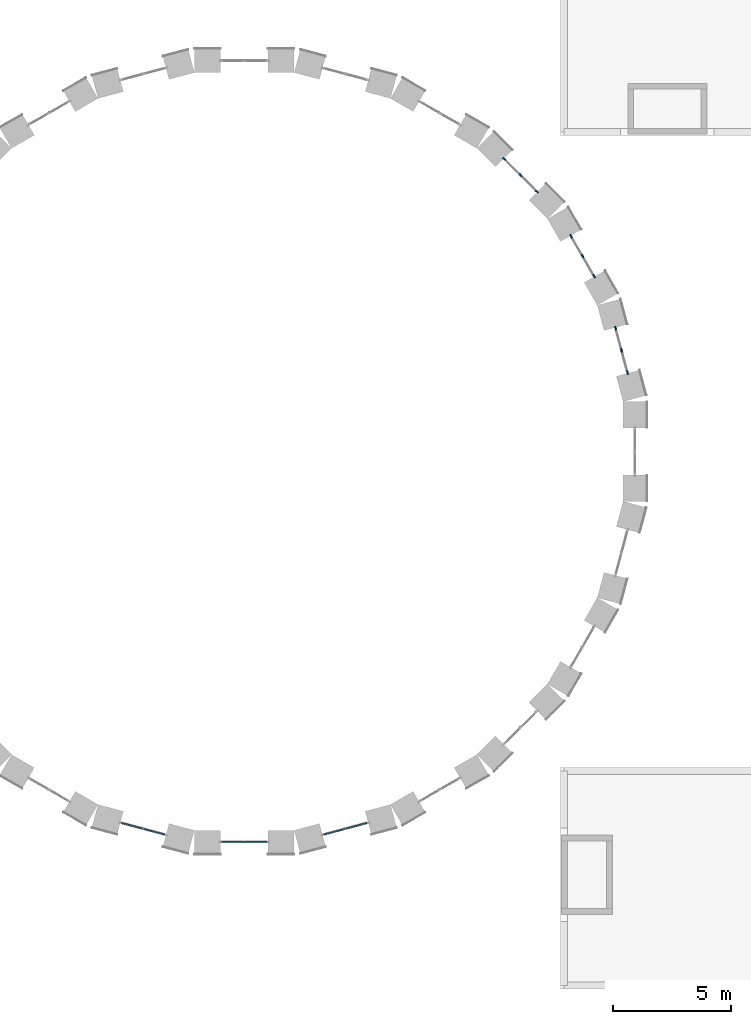
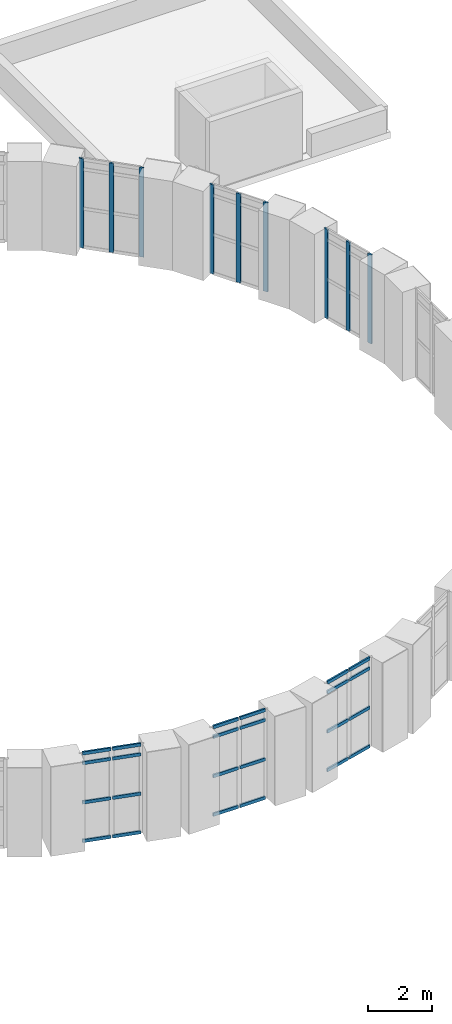
# One storey, part 14 of 42: 33 members, 6 elements without a shape of their own.
"""IFC4 building model written with IfcOpenShell, lengths in metres."""

from ifc_helpers import new_model, si_unit, direction, frame, origin, origin_2d, place, context, subcontext, project, spatial, rectangle, extrude, material, layer, layer_set, material_profile, profile_set, type_object, element, aggregate, save


model = new_model("IFC4")

# Units and contexts
model_context = context("Model", 3, precision=1e-05, world=origin(), true_north=direction((0.0, 1.0)))
body_context = subcontext(model_context, "Body", "Model", "MODEL_VIEW")
ifc_project = project(units=[si_unit("LENGTHUNIT", "METRE"), si_unit("AREAUNIT", "SQUARE_METRE"), si_unit("VOLUMEUNIT", "CUBIC_METRE"), si_unit("PLANEANGLEUNIT", "RADIAN"), si_unit("MASSUNIT", "GRAM", prefix="KILO")], contexts=[model_context])

# Site, building, storey
site_placement = place(None, origin())
site = spatial("IfcSite", under=ifc_project, at=site_placement, CompositionType="ELEMENT")
building_placement = place(site_placement, origin())
building = spatial("IfcBuilding", under=site, at=building_placement, Name="Golden Quay Civic Hall", CompositionType="ELEMENT")
storey_placement = place(building_placement, frame((0.0, 0.0, 22.800048828125)))
storey = spatial("IfcBuildingStorey", under=building, at=storey_placement, Name="L05", CompositionType="ELEMENT", Elevation=22.800048828125)

# Curtain wall, members
ifc_material_1 = material(Name="Glass, laminated double glazed", Category="glass")
ifc_layer = layer(ifc_material_1, 0.199951171875)
ifc_layer_set = layer_set([ifc_layer], Name="Glazed drum clerestory curtain wall")
curtain_wall_type = type_object("IfcCurtainWallType", Name="Glazed drum clerestory curtain wall", PredefinedType="NOTDEFINED", material=ifc_layer_set)
curtain_wall_1_placement = place(storey_placement, origin())
curtain_wall_1 = element("IfcCurtainWall", 1, at=curtain_wall_1_placement, inside=storey, type_object=curtain_wall_type, Name="Clerestory curtain wall 1", PredefinedType="NOTDEFINED")
ifc_material_2 = material(Name="Aluminium, anodised", Category="aluminium")
ifc_material_profile_1 = material_profile(ifc_material_2, rectangle(XDim=0.06005859375, YDim=0.159912109375, at=origin_2d()), Name="Aluminium 60 x 160")
ifc_profile_set_1 = profile_set([ifc_material_profile_1], Name="Aluminium, anodised")
member_type_1 = type_object("IfcMemberType", Name="Aluminium mullion 60 x 160", PredefinedType="MULLION", material=ifc_profile_set_1)
member_1_placement = place(storey_placement, frame((101.688720703125, 88.83349609375, 0.300048828125), z_axis=(0.0, 0.0, 1.0), x_axis=(-0.965928857556, -0.258807731996, 0.0)))
member_1 = element("IfcMember", 2, at=member_1_placement, type_object=member_type_1, Name="CW5 mullion 1", PredefinedType="MULLION", context=body_context, shape_type="SweptSolid", body=[
    extrude(rectangle(XDim=0.06005859375, YDim=0.159912109375, at=origin_2d()), origin(), (0.0, 0.0, 1.0), 3.39990234375),
])
member_2_placement = place(storey_placement, frame((101.437744140625, 89.7705078125, 0.300048828125), z_axis=(0.0, 0.0, 1.0), x_axis=(-0.965928857556, -0.258807731996, 0.0)))
member_2 = element("IfcMember", 3, at=member_2_placement, type_object=member_type_1, Name="CW5 mullion 2", PredefinedType="MULLION", context=body_context, shape_type="SweptSolid", body=[
    extrude(rectangle(XDim=0.06005859375, YDim=0.159912109375, at=origin_2d()), origin(), (0.0, 0.0, 1.0), 3.39990234375),
])
member_3_placement = place(storey_placement, frame((101.186767578125, 90.70751953125, 0.300048828125), z_axis=(0.0, 0.0, 1.0), x_axis=(-0.965928857556, -0.258807731996, 0.0)))
member_3 = element("IfcMember", 4, at=member_3_placement, type_object=member_type_1, Name="CW5 mullion 3", PredefinedType="MULLION", context=body_context, shape_type="SweptSolid", body=[
    extrude(rectangle(XDim=0.06005859375, YDim=0.159912109375, at=origin_2d()), origin(), (0.0, 0.0, 1.0), 3.39990234375),
])
aggregate(curtain_wall_1, [member_1, member_2, member_3])

curtain_wall_2_placement = place(storey_placement, origin())
curtain_wall_2 = element("IfcCurtainWall", 5, at=curtain_wall_2_placement, inside=storey, type_object=curtain_wall_type, Name="Clerestory curtain wall 2", PredefinedType="NOTDEFINED")
member_4_placement = place(storey_placement, frame((100.2744140625, 92.909912109375, 0.300048828125), z_axis=(0.0, 0.0, 1.0), x_axis=(-0.866019052627, -0.500011000366, 0.0)))
member_4 = element("IfcMember", 6, at=member_4_placement, type_object=member_type_1, Name="CW5 mullion 1", PredefinedType="MULLION", context=body_context, shape_type="SweptSolid", body=[
    extrude(rectangle(XDim=0.06005859375, YDim=0.159912109375, at=origin_2d()), origin(), (0.0, 0.0, 1.0), 3.39990234375),
])
member_5_placement = place(storey_placement, frame((99.789306640625, 93.75, 0.300048828125), z_axis=(0.0, 0.0, 1.0), x_axis=(-0.866019052627, -0.500011000366, 0.0)))
member_5 = element("IfcMember", 7, at=member_5_placement, type_object=member_type_1, Name="CW5 mullion 2", PredefinedType="MULLION", context=body_context, shape_type="SweptSolid", body=[
    extrude(rectangle(XDim=0.06005859375, YDim=0.159912109375, at=origin_2d()), origin(), (0.0, 0.0, 1.0), 3.39990234375),
])
member_6_placement = place(storey_placement, frame((99.304443359375, 94.590087890625, 0.300048828125), z_axis=(0.0, 0.0, 1.0), x_axis=(-0.866019052627, -0.500011000366, 0.0)))
member_6 = element("IfcMember", 8, at=member_6_placement, type_object=member_type_1, Name="CW5 mullion 3", PredefinedType="MULLION", context=body_context, shape_type="SweptSolid", body=[
    extrude(rectangle(XDim=0.06005859375, YDim=0.159912109375, at=origin_2d()), origin(), (0.0, 0.0, 1.0), 3.39990234375),
])
aggregate(curtain_wall_2, [member_4, member_5, member_6])

curtain_wall_3_placement = place(storey_placement, origin())
curtain_wall_3 = element("IfcCurtainWall", 9, at=curtain_wall_3_placement, inside=storey, type_object=curtain_wall_type, Name="Clerestory curtain wall 3", PredefinedType="NOTDEFINED")
member_7_placement = place(storey_placement, frame((97.853271484375, 96.4814453125, 0.300048828125), z_axis=(0.0, 0.0, 1.0), x_axis=(-0.707106781187, -0.707106781187, 0.0)))
member_7 = element("IfcMember", 10, at=member_7_placement, type_object=member_type_1, Name="CW5 mullion 1", PredefinedType="MULLION", context=body_context, shape_type="SweptSolid", body=[
    extrude(rectangle(XDim=0.06005859375, YDim=0.159912109375, at=origin_2d()), origin(), (0.0, 0.0, 1.0), 3.39990234375),
])
member_8_placement = place(storey_placement, frame((97.167236328125, 97.167236328125, 0.300048828125), z_axis=(0.0, 0.0, 1.0), x_axis=(-0.707106781187, -0.707106781187, 0.0)))
member_8 = element("IfcMember", 11, at=member_8_placement, type_object=member_type_1, Name="CW5 mullion 2", PredefinedType="MULLION", context=body_context, shape_type="SweptSolid", body=[
    extrude(rectangle(XDim=0.06005859375, YDim=0.159912109375, at=origin_2d()), origin(), (0.0, 0.0, 1.0), 3.39990234375),
])
member_9_placement = place(storey_placement, frame((96.4814453125, 97.853271484375, 0.300048828125), z_axis=(0.0, 0.0, 1.0), x_axis=(-0.707106781187, -0.707106781187, 0.0)))
member_9 = element("IfcMember", 12, at=member_9_placement, type_object=member_type_1, Name="CW5 mullion 3", PredefinedType="MULLION", context=body_context, shape_type="SweptSolid", body=[
    extrude(rectangle(XDim=0.06005859375, YDim=0.159912109375, at=origin_2d()), origin(), (0.0, 0.0, 1.0), 3.39990234375),
])
aggregate(curtain_wall_3, [member_7, member_8, member_9])

curtain_wall_4_placement = place(storey_placement, origin())
curtain_wall_4 = element("IfcCurtainWall", 13, at=curtain_wall_4_placement, inside=storey, type_object=curtain_wall_type, Name="Clerestory curtain wall 17", PredefinedType="NOTDEFINED")
ifc_material_3 = material(Name="Aluminium, anodised", Category="aluminium")
ifc_material_profile_2 = material_profile(ifc_material_3, rectangle(XDim=0.06005859375, YDim=0.1201171875, at=origin_2d()), Name="Aluminium 60 x 120")
ifc_profile_set_2 = profile_set([ifc_material_profile_2], Name="Aluminium, anodised")
member_type_2 = type_object("IfcMemberType", Name="Aluminium transom 60 x 120", PredefinedType="USERDEFINED", material=ifc_profile_set_2)
member_10_placement = place(storey_placement, frame((80.321533203125, 69.805419921875, 0.329833984375), z_axis=(0.965967209168, -0.258664552677, 0.0), x_axis=(0.258664552677, 0.965967209168, 0.0)))
member_10 = element("IfcMember", 14, at=member_10_placement, type_object=member_type_2, Name="CW5 transom 1.1", ObjectType="TRANSOM", PredefinedType="USERDEFINED", context=body_context, shape_type="SweptSolid", body=[
    extrude(rectangle(XDim=0.06005859375, YDim=0.1201171875, at=origin_2d()), origin(), (0.0, 0.0, 1.0), 0.909912109375),
])
member_11_placement = place(storey_placement, frame((80.321533203125, 69.805419921875, 1.800048828125), z_axis=(0.965967209168, -0.258664552677, 0.0), x_axis=(0.258664552677, 0.965967209168, 0.0)))
member_11 = element("IfcMember", 15, at=member_11_placement, type_object=member_type_2, Name="CW5 transom 1.2", ObjectType="TRANSOM", PredefinedType="USERDEFINED", context=body_context, shape_type="SweptSolid", body=[
    extrude(rectangle(XDim=0.06005859375, YDim=0.1201171875, at=origin_2d()), origin(), (0.0, 0.0, 1.0), 0.909912109375),
])
member_12_placement = place(storey_placement, frame((80.321533203125, 69.805419921875, 3.300048828125), z_axis=(0.965967209168, -0.258664552677, 0.0), x_axis=(0.258664552677, 0.965967209168, 0.0)))
member_12 = element("IfcMember", 16, at=member_12_placement, type_object=member_type_2, Name="CW5 transom 1.3", ObjectType="TRANSOM", PredefinedType="USERDEFINED", context=body_context, shape_type="SweptSolid", body=[
    extrude(rectangle(XDim=0.06005859375, YDim=0.1201171875, at=origin_2d()), origin(), (0.0, 0.0, 1.0), 0.909912109375),
])
member_13_placement = place(storey_placement, frame((80.321533203125, 69.805419921875, 3.669921875), z_axis=(0.965967209168, -0.258664552677, 0.0), x_axis=(0.258664552677, 0.965967209168, 0.0)))
member_13 = element("IfcMember", 17, at=member_13_placement, type_object=member_type_2, Name="CW5 transom 1.4", ObjectType="TRANSOM", PredefinedType="USERDEFINED", context=body_context, shape_type="SweptSolid", body=[
    extrude(rectangle(XDim=0.06005859375, YDim=0.1201171875, at=origin_2d()), origin(), (0.0, 0.0, 1.0), 0.909912109375),
])
member_14_placement = place(storey_placement, frame((81.258544921875, 69.554443359375, 0.329833984375), z_axis=(0.965900137494, -0.258914897967, 0.0), x_axis=(0.258914897967, 0.965900137494, 0.0)))
member_14 = element("IfcMember", 18, at=member_14_placement, type_object=member_type_2, Name="CW5 transom 2.1", ObjectType="TRANSOM", PredefinedType="USERDEFINED", context=body_context, shape_type="SweptSolid", body=[
    extrude(rectangle(XDim=0.06005859375, YDim=0.1201171875, at=origin_2d()), origin(), (0.0, 0.0, 1.0), 0.909912109375),
])
member_15_placement = place(storey_placement, frame((81.258544921875, 69.554443359375, 1.800048828125), z_axis=(0.965900137494, -0.258914897967, 0.0), x_axis=(0.258914897967, 0.965900137494, 0.0)))
member_15 = element("IfcMember", 19, at=member_15_placement, type_object=member_type_2, Name="CW5 transom 2.2", ObjectType="TRANSOM", PredefinedType="USERDEFINED", context=body_context, shape_type="SweptSolid", body=[
    extrude(rectangle(XDim=0.06005859375, YDim=0.1201171875, at=origin_2d()), origin(), (0.0, 0.0, 1.0), 0.909912109375),
])
member_16_placement = place(storey_placement, frame((81.258544921875, 69.554443359375, 3.300048828125), z_axis=(0.965900137494, -0.258914897967, 0.0), x_axis=(0.258914897967, 0.965900137494, 0.0)))
member_16 = element("IfcMember", 20, at=member_16_placement, type_object=member_type_2, Name="CW5 transom 2.3", ObjectType="TRANSOM", PredefinedType="USERDEFINED", context=body_context, shape_type="SweptSolid", body=[
    extrude(rectangle(XDim=0.06005859375, YDim=0.1201171875, at=origin_2d()), origin(), (0.0, 0.0, 1.0), 0.909912109375),
])
member_17_placement = place(storey_placement, frame((81.258544921875, 69.554443359375, 3.669921875), z_axis=(0.965900137494, -0.258914897967, 0.0), x_axis=(0.258914897967, 0.965900137494, 0.0)))
member_17 = element("IfcMember", 21, at=member_17_placement, type_object=member_type_2, Name="CW5 transom 2.4", ObjectType="TRANSOM", PredefinedType="USERDEFINED", context=body_context, shape_type="SweptSolid", body=[
    extrude(rectangle(XDim=0.06005859375, YDim=0.1201171875, at=origin_2d()), origin(), (0.0, 0.0, 1.0), 0.909912109375),
])
aggregate(curtain_wall_4, [member_10, member_11, member_12, member_13, member_14, member_15, member_16, member_17])

curtain_wall_5_placement = place(storey_placement, origin())
curtain_wall_5 = element("IfcCurtainWall", 22, at=curtain_wall_5_placement, inside=storey, type_object=curtain_wall_type, Name="Clerestory curtain wall 18", PredefinedType="NOTDEFINED")
member_18_placement = place(storey_placement, frame((84.56005859375, 69.0, 0.329833984375), z_axis=(1.0, 0.0, 0.0), x_axis=(0.0, 1.0, 0.0)))
member_18 = element("IfcMember", 23, at=member_18_placement, type_object=member_type_2, Name="CW5 transom 1.1", ObjectType="TRANSOM", PredefinedType="USERDEFINED", context=body_context, shape_type="SweptSolid", body=[
    extrude(rectangle(XDim=0.06005859375, YDim=0.1201171875, at=origin_2d()), origin(), (0.0, 0.0, 1.0), 0.909912109375),
])
member_19_placement = place(storey_placement, frame((84.56005859375, 69.0, 1.800048828125), z_axis=(1.0, 0.0, 0.0), x_axis=(0.0, 1.0, 0.0)))
member_19 = element("IfcMember", 24, at=member_19_placement, type_object=member_type_2, Name="CW5 transom 1.2", ObjectType="TRANSOM", PredefinedType="USERDEFINED", context=body_context, shape_type="SweptSolid", body=[
    extrude(rectangle(XDim=0.06005859375, YDim=0.1201171875, at=origin_2d()), origin(), (0.0, 0.0, 1.0), 0.909912109375),
])
member_20_placement = place(storey_placement, frame((84.56005859375, 69.0, 3.300048828125), z_axis=(1.0, 0.0, 0.0), x_axis=(0.0, 1.0, 0.0)))
member_20 = element("IfcMember", 25, at=member_20_placement, type_object=member_type_2, Name="CW5 transom 1.3", ObjectType="TRANSOM", PredefinedType="USERDEFINED", context=body_context, shape_type="SweptSolid", body=[
    extrude(rectangle(XDim=0.06005859375, YDim=0.1201171875, at=origin_2d()), origin(), (0.0, 0.0, 1.0), 0.909912109375),
])
member_21_placement = place(storey_placement, frame((84.56005859375, 69.0, 3.669921875), z_axis=(1.0, 0.0, 0.0), x_axis=(0.0, 1.0, 0.0)))
member_21 = element("IfcMember", 26, at=member_21_placement, type_object=member_type_2, Name="CW5 transom 1.4", ObjectType="TRANSOM", PredefinedType="USERDEFINED", context=body_context, shape_type="SweptSolid", body=[
    extrude(rectangle(XDim=0.06005859375, YDim=0.1201171875, at=origin_2d()), origin(), (0.0, 0.0, 1.0), 0.909912109375),
])
member_22_placement = place(storey_placement, frame((85.530029296875, 69.0, 0.329833984375), z_axis=(1.0, 0.0, 0.0), x_axis=(0.0, 1.0, 0.0)))
member_22 = element("IfcMember", 27, at=member_22_placement, type_object=member_type_2, Name="CW5 transom 2.1", ObjectType="TRANSOM", PredefinedType="USERDEFINED", context=body_context, shape_type="SweptSolid", body=[
    extrude(rectangle(XDim=0.06005859375, YDim=0.1201171875, at=origin_2d()), origin(), (0.0, 0.0, 1.0), 0.909912109375),
])
member_23_placement = place(storey_placement, frame((85.530029296875, 69.0, 1.800048828125), z_axis=(1.0, 0.0, 0.0), x_axis=(0.0, 1.0, 0.0)))
member_23 = element("IfcMember", 28, at=member_23_placement, type_object=member_type_2, Name="CW5 transom 2.2", ObjectType="TRANSOM", PredefinedType="USERDEFINED", context=body_context, shape_type="SweptSolid", body=[
    extrude(rectangle(XDim=0.06005859375, YDim=0.1201171875, at=origin_2d()), origin(), (0.0, 0.0, 1.0), 0.909912109375),
])
member_24_placement = place(storey_placement, frame((85.530029296875, 69.0, 3.300048828125), z_axis=(1.0, 0.0, 0.0), x_axis=(0.0, 1.0, 0.0)))
member_24 = element("IfcMember", 29, at=member_24_placement, type_object=member_type_2, Name="CW5 transom 2.3", ObjectType="TRANSOM", PredefinedType="USERDEFINED", context=body_context, shape_type="SweptSolid", body=[
    extrude(rectangle(XDim=0.06005859375, YDim=0.1201171875, at=origin_2d()), origin(), (0.0, 0.0, 1.0), 0.909912109375),
])
member_25_placement = place(storey_placement, frame((85.530029296875, 69.0, 3.669921875), z_axis=(1.0, 0.0, 0.0), x_axis=(0.0, 1.0, 0.0)))
member_25 = element("IfcMember", 30, at=member_25_placement, type_object=member_type_2, Name="CW5 transom 2.4", ObjectType="TRANSOM", PredefinedType="USERDEFINED", context=body_context, shape_type="SweptSolid", body=[
    extrude(rectangle(XDim=0.06005859375, YDim=0.1201171875, at=origin_2d()), origin(), (0.0, 0.0, 1.0), 0.909912109375),
])
aggregate(curtain_wall_5, [member_18, member_19, member_20, member_21, member_22, member_23, member_24, member_25])

curtain_wall_6_placement = place(storey_placement, origin())
curtain_wall_6 = element("IfcCurtainWall", 31, at=curtain_wall_6_placement, inside=storey, type_object=curtain_wall_type, Name="Clerestory curtain wall 19", PredefinedType="NOTDEFINED")
member_26_placement = place(storey_placement, frame((88.862548828125, 69.31884765625, 0.329833984375), z_axis=(0.965900137494, 0.258914897967, 0.0), x_axis=(-0.258914897967, 0.965900137494, 0.0)))
member_26 = element("IfcMember", 32, at=member_26_placement, type_object=member_type_2, Name="CW5 transom 1.1", ObjectType="TRANSOM", PredefinedType="USERDEFINED", context=body_context, shape_type="SweptSolid", body=[
    extrude(rectangle(XDim=0.06005859375, YDim=0.1201171875, at=origin_2d()), origin(), (0.0, 0.0, 1.0), 0.909912109375),
])
member_27_placement = place(storey_placement, frame((88.862548828125, 69.31884765625, 1.800048828125), z_axis=(0.965900137494, 0.258914897967, 0.0), x_axis=(-0.258914897967, 0.965900137494, 0.0)))
member_27 = element("IfcMember", 33, at=member_27_placement, type_object=member_type_2, Name="CW5 transom 1.2", ObjectType="TRANSOM", PredefinedType="USERDEFINED", context=body_context, shape_type="SweptSolid", body=[
    extrude(rectangle(XDim=0.06005859375, YDim=0.1201171875, at=origin_2d()), origin(), (0.0, 0.0, 1.0), 0.909912109375),
])
member_28_placement = place(storey_placement, frame((88.862548828125, 69.31884765625, 3.300048828125), z_axis=(0.965900137494, 0.258914897967, 0.0), x_axis=(-0.258914897967, 0.965900137494, 0.0)))
member_28 = element("IfcMember", 34, at=member_28_placement, type_object=member_type_2, Name="CW5 transom 1.3", ObjectType="TRANSOM", PredefinedType="USERDEFINED", context=body_context, shape_type="SweptSolid", body=[
    extrude(rectangle(XDim=0.06005859375, YDim=0.1201171875, at=origin_2d()), origin(), (0.0, 0.0, 1.0), 0.909912109375),
])
member_29_placement = place(storey_placement, frame((88.862548828125, 69.31884765625, 3.669921875), z_axis=(0.965900137494, 0.258914897967, 0.0), x_axis=(-0.258914897967, 0.965900137494, 0.0)))
member_29 = element("IfcMember", 35, at=member_29_placement, type_object=member_type_2, Name="CW5 transom 1.4", ObjectType="TRANSOM", PredefinedType="USERDEFINED", context=body_context, shape_type="SweptSolid", body=[
    extrude(rectangle(XDim=0.06005859375, YDim=0.1201171875, at=origin_2d()), origin(), (0.0, 0.0, 1.0), 0.909912109375),
])
member_30_placement = place(storey_placement, frame((89.799560546875, 69.570068359375, 0.329833984375), z_axis=(0.965967209168, 0.258664552677, 0.0), x_axis=(-0.258664552677, 0.965967209168, 0.0)))
member_30 = element("IfcMember", 36, at=member_30_placement, type_object=member_type_2, Name="CW5 transom 2.1", ObjectType="TRANSOM", PredefinedType="USERDEFINED", context=body_context, shape_type="SweptSolid", body=[
    extrude(rectangle(XDim=0.06005859375, YDim=0.1201171875, at=origin_2d()), origin(), (0.0, 0.0, 1.0), 0.909912109375),
])
member_31_placement = place(storey_placement, frame((89.799560546875, 69.570068359375, 1.800048828125), z_axis=(0.965967209168, 0.258664552677, 0.0), x_axis=(-0.258664552677, 0.965967209168, 0.0)))
member_31 = element("IfcMember", 37, at=member_31_placement, type_object=member_type_2, Name="CW5 transom 2.2", ObjectType="TRANSOM", PredefinedType="USERDEFINED", context=body_context, shape_type="SweptSolid", body=[
    extrude(rectangle(XDim=0.06005859375, YDim=0.1201171875, at=origin_2d()), origin(), (0.0, 0.0, 1.0), 0.909912109375),
])
member_32_placement = place(storey_placement, frame((89.799560546875, 69.570068359375, 3.300048828125), z_axis=(0.965967209168, 0.258664552677, 0.0), x_axis=(-0.258664552677, 0.965967209168, 0.0)))
member_32 = element("IfcMember", 38, at=member_32_placement, type_object=member_type_2, Name="CW5 transom 2.3", ObjectType="TRANSOM", PredefinedType="USERDEFINED", context=body_context, shape_type="SweptSolid", body=[
    extrude(rectangle(XDim=0.06005859375, YDim=0.1201171875, at=origin_2d()), origin(), (0.0, 0.0, 1.0), 0.909912109375),
])
member_33_placement = place(storey_placement, frame((89.799560546875, 69.570068359375, 3.669921875), z_axis=(0.965967209168, 0.258664552677, 0.0), x_axis=(-0.258664552677, 0.965967209168, 0.0)))
member_33 = element("IfcMember", 39, at=member_33_placement, type_object=member_type_2, Name="CW5 transom 2.4", ObjectType="TRANSOM", PredefinedType="USERDEFINED", context=body_context, shape_type="SweptSolid", body=[
    extrude(rectangle(XDim=0.06005859375, YDim=0.1201171875, at=origin_2d()), origin(), (0.0, 0.0, 1.0), 0.909912109375),
])
aggregate(curtain_wall_6, [member_26, member_27, member_28, member_29, member_30, member_31, member_32, member_33])

save(model, "model.ifc")
